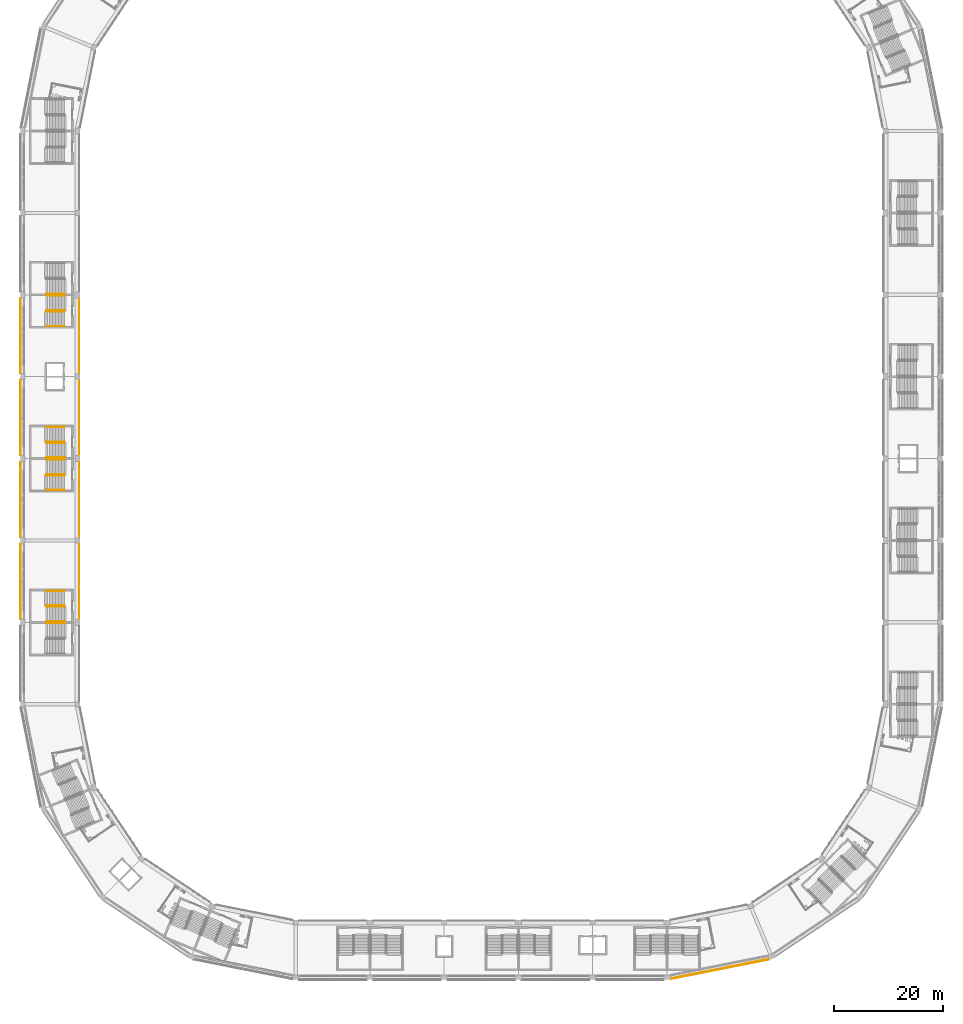
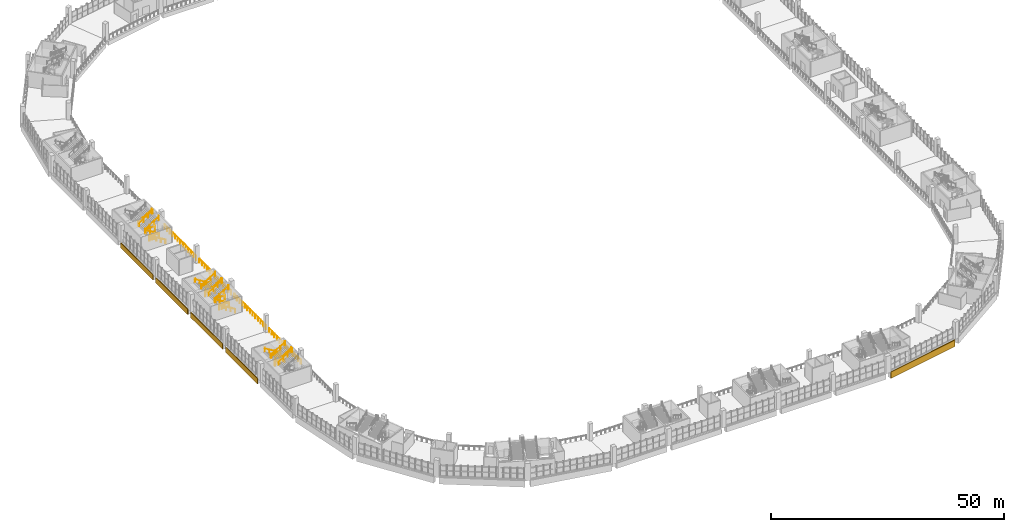
# One storey, part 166 of 177: 30 railings, 5 coverings.
"""IFC4 building model written with IfcOpenShell, lengths in metres."""

from ifc_helpers import new_model, si_unit, direction, frame, origin, origin_2d, place, context, subcontext, project, spatial, polyline, circle, outline, extrude, material, layer, layer_set, type_object, element, save


model = new_model("IFC4")

# Units and contexts
model_context = context("Model", 3, precision=1e-05, world=origin(), true_north=direction((0.0, 1.0)))
body_context = subcontext(model_context, "Body", "Model", "MODEL_VIEW")
ifc_project = project(units=[si_unit("LENGTHUNIT", "METRE"), si_unit("AREAUNIT", "SQUARE_METRE"), si_unit("VOLUMEUNIT", "CUBIC_METRE"), si_unit("PLANEANGLEUNIT", "RADIAN"), si_unit("MASSUNIT", "GRAM", prefix="KILO")], contexts=[model_context])

# Site, building, storey
site_placement = place(None, origin())
site = spatial("IfcSite", under=ifc_project, at=site_placement, CompositionType="ELEMENT")
building_placement = place(site_placement, origin())
building = spatial("IfcBuilding", under=site, at=building_placement, Name="Ogive Plaza Stadium", CompositionType="ELEMENT")
storey_placement = place(building_placement, frame((0.0, 0.0, 18.0)))
storey = spatial("IfcBuildingStorey", under=building, at=storey_placement, Name="L04", CompositionType="ELEMENT", Elevation=18.0)

# Railings
ifc_material_1 = material(Name="Steel ASTM A572 Grade 50", Category="steel")
railing_type_1 = type_object("IfcRailingType", Name="Guard 1100", PredefinedType="GUARDRAIL", material=ifc_material_1)
for number, where, name in (
    (1, (-76.35009765625, -34.52490234375, 0.0), "Stair well guard ST22A L04"),
    (2, (-77.31005859375, -34.52490234375, 2.25), "Stair well guard ST22A L04"),
    (3, (-76.35009765625, -4.52490234375, 0.0), "Stair well guard ST24A L04"),
    (4, (-77.31005859375, -4.52490234375, 2.25), "Stair well guard ST24A L04"),
    (5, (-76.35009765625, -10.47509765625, 0.0), "Stair well guard ST24B L04"),
    (6, (-77.31005859375, -10.47509765625, 2.25), "Stair well guard ST24B L04"),
    (7, (-76.35009765625, 19.52490234375, 0.0), "Stair well guard ST26B L04"),
    (8, (-77.31005859375, 19.52490234375, 2.25), "Stair well guard ST26B L04"),
):
    element("IfcRailing", number, at=place(storey_placement, frame(where)), inside=storey, type_object=railing_type_1, Name=name, PredefinedType="GUARDRAIL", context=body_context, shape_type="SweptSolid", body=[
        extrude(circle(Radius=0.02392578125, at=origin_2d()), frame((0.0, 0.0, 1.076171875), z_axis=(-1.0, 0.0, 0.0), x_axis=(0.0, -1.0, 0.0)), (0.0, 0.0, 1.0), 2.39990234375),
        extrude(circle(Radius=0.02099609375, at=origin_2d()), origin(), (0.0, 0.0, 1.0), 1.052001953125),
        extrude(circle(Radius=0.02099609375, at=origin_2d()), frame((-1.199951171875, 0.0, 0.0)), (0.0, 0.0, 1.0), 1.052001953125),
        extrude(circle(Radius=0.02099609375, at=origin_2d()), frame((-2.39990234375, 0.0, 0.0)), (0.0, 0.0, 1.0), 1.052001953125),
    ])
railing_1_placement = place(storey_placement, frame((-73.64990234375, -36.800048828125, 0.0)))
element("IfcRailing", 9, at=railing_1_placement, inside=storey, type_object=railing_type_1, Name="Guard L04 B22", PredefinedType="GUARDRAIL", context=body_context, shape_type="SweptSolid", body=[
    extrude(circle(Radius=0.02392578125, at=origin_2d()), frame((0.0, 0.0, 1.076171875), z_axis=(0.0, 1.0, 0.0), x_axis=(-1.0, 0.0, 0.0)), (0.0, 0.0, 1.0), 13.60009765625),
    extrude(circle(Radius=0.02099609375, at=origin_2d()), origin(), (0.0, 0.0, 1.0), 1.052001953125),
    extrude(circle(Radius=0.02099609375, at=origin_2d()), frame((0.0, 1.13330078125, 0.0)), (0.0, 0.0, 1.0), 1.052001953125),
    extrude(circle(Radius=0.02099609375, at=origin_2d()), frame((0.0, 2.2666015625, 0.0)), (0.0, 0.0, 1.0), 1.052001953125),
    extrude(circle(Radius=0.02099609375, at=origin_2d()), frame((0.0, 3.39990234375, 0.0)), (0.0, 0.0, 1.0), 1.052001953125),
    extrude(circle(Radius=0.02099609375, at=origin_2d()), frame((0.0, 4.533447265625, 0.0)), (0.0, 0.0, 1.0), 1.052001953125),
    extrude(circle(Radius=0.02099609375, at=origin_2d()), frame((0.0, 5.666748046875, 0.0)), (0.0, 0.0, 1.0), 1.052001953125),
    extrude(circle(Radius=0.02099609375, at=origin_2d()), frame((0.0, 6.800048828125, 0.0)), (0.0, 0.0, 1.0), 1.052001953125),
    extrude(circle(Radius=0.02099609375, at=origin_2d()), frame((0.0, 7.933349609375, 0.0)), (0.0, 0.0, 1.0), 1.052001953125),
    extrude(circle(Radius=0.02099609375, at=origin_2d()), frame((0.0, 9.066650390625, 0.0)), (0.0, 0.0, 1.0), 1.052001953125),
    extrude(circle(Radius=0.02099609375, at=origin_2d()), frame((0.0, 10.2001953125, 0.0)), (0.0, 0.0, 1.0), 1.052001953125),
    extrude(circle(Radius=0.02099609375, at=origin_2d()), frame((0.0, 11.33349609375, 0.0)), (0.0, 0.0, 1.0), 1.052001953125),
    extrude(circle(Radius=0.02099609375, at=origin_2d()), frame((0.0, 12.466796875, 0.0)), (0.0, 0.0, 1.0), 1.052001953125),
    extrude(circle(Radius=0.02099609375, at=origin_2d()), frame((0.0, 13.60009765625, 0.0)), (0.0, 0.0, 1.0), 1.052001953125),
])
railing_2_placement = place(storey_placement, frame((-73.64990234375, -21.800048828125, 0.0)))
element("IfcRailing", 10, at=railing_2_placement, inside=storey, type_object=railing_type_1, Name="Guard L04 B23", PredefinedType="GUARDRAIL", context=body_context, shape_type="SweptSolid", body=[
    extrude(circle(Radius=0.02392578125, at=origin_2d()), frame((0.0, 0.0, 1.076171875), z_axis=(0.0, 1.0, 0.0), x_axis=(-1.0, 0.0, 0.0)), (0.0, 0.0, 1.0), 13.60009765625),
    extrude(circle(Radius=0.02099609375, at=origin_2d()), origin(), (0.0, 0.0, 1.0), 1.052001953125),
    extrude(circle(Radius=0.02099609375, at=origin_2d()), frame((0.0, 1.13330078125, 0.0)), (0.0, 0.0, 1.0), 1.052001953125),
    extrude(circle(Radius=0.02099609375, at=origin_2d()), frame((0.0, 2.2666015625, 0.0)), (0.0, 0.0, 1.0), 1.052001953125),
    extrude(circle(Radius=0.02099609375, at=origin_2d()), frame((0.0, 3.39990234375, 0.0)), (0.0, 0.0, 1.0), 1.052001953125),
    extrude(circle(Radius=0.02099609375, at=origin_2d()), frame((0.0, 4.533447265625, 0.0)), (0.0, 0.0, 1.0), 1.052001953125),
    extrude(circle(Radius=0.02099609375, at=origin_2d()), frame((0.0, 5.666748046875, 0.0)), (0.0, 0.0, 1.0), 1.052001953125),
    extrude(circle(Radius=0.02099609375, at=origin_2d()), frame((0.0, 6.800048828125, 0.0)), (0.0, 0.0, 1.0), 1.052001953125),
    extrude(circle(Radius=0.02099609375, at=origin_2d()), frame((0.0, 7.933349609375, 0.0)), (0.0, 0.0, 1.0), 1.052001953125),
    extrude(circle(Radius=0.02099609375, at=origin_2d()), frame((0.0, 9.066650390625, 0.0)), (0.0, 0.0, 1.0), 1.052001953125),
    extrude(circle(Radius=0.02099609375, at=origin_2d()), frame((0.0, 10.2001953125, 0.0)), (0.0, 0.0, 1.0), 1.052001953125),
    extrude(circle(Radius=0.02099609375, at=origin_2d()), frame((0.0, 11.33349609375, 0.0)), (0.0, 0.0, 1.0), 1.052001953125),
    extrude(circle(Radius=0.02099609375, at=origin_2d()), frame((0.0, 12.466796875, 0.0)), (0.0, 0.0, 1.0), 1.052001953125),
    extrude(circle(Radius=0.02099609375, at=origin_2d()), frame((0.0, 13.60009765625, 0.0)), (0.0, 0.0, 1.0), 1.052001953125),
])
railing_3_placement = place(storey_placement, frame((-73.64990234375, -6.800048828125, 0.0)))
element("IfcRailing", 11, at=railing_3_placement, inside=storey, type_object=railing_type_1, Name="Guard L04 B24", PredefinedType="GUARDRAIL", context=body_context, shape_type="SweptSolid", body=[
    extrude(circle(Radius=0.02392578125, at=origin_2d()), frame((0.0, 0.0, 1.076171875), z_axis=(0.0, 1.0, 0.0), x_axis=(-1.0, 0.0, 0.0)), (0.0, 0.0, 1.0), 13.60009765625),
    extrude(circle(Radius=0.02099609375, at=origin_2d()), origin(), (0.0, 0.0, 1.0), 1.052001953125),
    extrude(circle(Radius=0.02099609375, at=origin_2d()), frame((0.0, 1.13330078125, 0.0)), (0.0, 0.0, 1.0), 1.052001953125),
    extrude(circle(Radius=0.02099609375, at=origin_2d()), frame((0.0, 2.2666015625, 0.0)), (0.0, 0.0, 1.0), 1.052001953125),
    extrude(circle(Radius=0.02099609375, at=origin_2d()), frame((0.0, 3.39990234375, 0.0)), (0.0, 0.0, 1.0), 1.052001953125),
    extrude(circle(Radius=0.02099609375, at=origin_2d()), frame((0.0, 4.533447265625, 0.0)), (0.0, 0.0, 1.0), 1.052001953125),
    extrude(circle(Radius=0.02099609375, at=origin_2d()), frame((0.0, 5.666748046875, 0.0)), (0.0, 0.0, 1.0), 1.052001953125),
    extrude(circle(Radius=0.02099609375, at=origin_2d()), frame((0.0, 6.800048828125, 0.0)), (0.0, 0.0, 1.0), 1.052001953125),
    extrude(circle(Radius=0.02099609375, at=origin_2d()), frame((0.0, 7.933349609375, 0.0)), (0.0, 0.0, 1.0), 1.052001953125),
    extrude(circle(Radius=0.02099609375, at=origin_2d()), frame((0.0, 9.066650390625, 0.0)), (0.0, 0.0, 1.0), 1.052001953125),
    extrude(circle(Radius=0.02099609375, at=origin_2d()), frame((0.0, 10.2001953125, 0.0)), (0.0, 0.0, 1.0), 1.052001953125),
    extrude(circle(Radius=0.02099609375, at=origin_2d()), frame((0.0, 11.33349609375, 0.0)), (0.0, 0.0, 1.0), 1.052001953125),
    extrude(circle(Radius=0.02099609375, at=origin_2d()), frame((0.0, 12.466796875, 0.0)), (0.0, 0.0, 1.0), 1.052001953125),
    extrude(circle(Radius=0.02099609375, at=origin_2d()), frame((0.0, 13.60009765625, 0.0)), (0.0, 0.0, 1.0), 1.052001953125),
])
railing_4_placement = place(storey_placement, frame((-73.64990234375, 8.199951171875, 0.0)))
element("IfcRailing", 12, at=railing_4_placement, inside=storey, type_object=railing_type_1, Name="Guard L04 B25", PredefinedType="GUARDRAIL", context=body_context, shape_type="SweptSolid", body=[
    extrude(circle(Radius=0.02392578125, at=origin_2d()), frame((0.0, 0.0, 1.076171875), z_axis=(0.0, 1.0, 0.0), x_axis=(-1.0, 0.0, 0.0)), (0.0, 0.0, 1.0), 13.60009765625),
    extrude(circle(Radius=0.02099609375, at=origin_2d()), origin(), (0.0, 0.0, 1.0), 1.052001953125),
    extrude(circle(Radius=0.02099609375, at=origin_2d()), frame((0.0, 1.13330078125, 0.0)), (0.0, 0.0, 1.0), 1.052001953125),
    extrude(circle(Radius=0.02099609375, at=origin_2d()), frame((0.0, 2.2666015625, 0.0)), (0.0, 0.0, 1.0), 1.052001953125),
    extrude(circle(Radius=0.02099609375, at=origin_2d()), frame((0.0, 3.39990234375, 0.0)), (0.0, 0.0, 1.0), 1.052001953125),
    extrude(circle(Radius=0.02099609375, at=origin_2d()), frame((0.0, 4.533447265625, 0.0)), (0.0, 0.0, 1.0), 1.052001953125),
    extrude(circle(Radius=0.02099609375, at=origin_2d()), frame((0.0, 5.666748046875, 0.0)), (0.0, 0.0, 1.0), 1.052001953125),
    extrude(circle(Radius=0.02099609375, at=origin_2d()), frame((0.0, 6.800048828125, 0.0)), (0.0, 0.0, 1.0), 1.052001953125),
    extrude(circle(Radius=0.02099609375, at=origin_2d()), frame((0.0, 7.933349609375, 0.0)), (0.0, 0.0, 1.0), 1.052001953125),
    extrude(circle(Radius=0.02099609375, at=origin_2d()), frame((0.0, 9.066650390625, 0.0)), (0.0, 0.0, 1.0), 1.052001953125),
    extrude(circle(Radius=0.02099609375, at=origin_2d()), frame((0.0, 10.2001953125, 0.0)), (0.0, 0.0, 1.0), 1.052001953125),
    extrude(circle(Radius=0.02099609375, at=origin_2d()), frame((0.0, 11.33349609375, 0.0)), (0.0, 0.0, 1.0), 1.052001953125),
    extrude(circle(Radius=0.02099609375, at=origin_2d()), frame((0.0, 12.466796875, 0.0)), (0.0, 0.0, 1.0), 1.052001953125),
    extrude(circle(Radius=0.02099609375, at=origin_2d()), frame((0.0, 13.60009765625, 0.0)), (0.0, 0.0, 1.0), 1.052001953125),
])
ifc_material_2 = material(Name="Steel ASTM A572 Grade 50", Category="steel")
railing_type_2 = type_object("IfcRailingType", Name="Handrail 900", PredefinedType="HANDRAIL", material=ifc_material_2)
for number, where, name in (
    (13, (-76.35009765625, -31.735107421875, 0.173095703125), "Handrail ST22A L04"),
    (14, (-76.35009765625, -34.4150390625, 0.173095703125), "Handrail ST22A L04"),
):
    element("IfcRailing", number, at=place(storey_placement, frame(where)), inside=storey, type_object=railing_type_2, Name=name, PredefinedType="HANDRAIL", context=body_context, shape_type="SweptSolid", body=[
        extrude(circle(Radius=0.02392578125, at=origin_2d()), frame((0.0, 0.0, 0.8759765625), z_axis=(-0.850606129759, 0.0, 0.525803396734), x_axis=(0.0, -1.0, 0.0)), (0.0, 0.0, 1.0), 3.949951171875),
        extrude(circle(Radius=0.02099609375, at=origin_2d()), origin(), (0.0, 0.0, 1.0), 0.851806640625),
        extrude(circle(Radius=0.02099609375, at=origin_2d()), frame((-1.119873046875, 0.0, 0.6923828125)), (0.0, 0.0, 1.0), 0.851806640625),
        extrude(circle(Radius=0.02099609375, at=origin_2d()), frame((-2.239990234375, 0.0, 1.384521484375)), (0.0, 0.0, 1.0), 0.851806640625),
        extrude(circle(Radius=0.02099609375, at=origin_2d()), frame((-3.35986328125, 0.0, 2.076904296875)), (0.0, 0.0, 1.0), 1.10009765625),
    ])
for number, where, name in (
    (15, (-79.7099609375, -34.635009765625, 2.423095703125), "Handrail ST22A L04"),
    (16, (-79.7099609375, -37.31494140625, 2.423095703125), "Handrail ST22A L04"),
    (17, (-79.7099609375, -37.68505859375, 2.423095703125), "Handrail ST22B L04"),
):
    element("IfcRailing", number, at=place(storey_placement, frame(where)), inside=storey, type_object=railing_type_2, Name=name, PredefinedType="HANDRAIL", context=body_context, shape_type="SweptSolid", body=[
        extrude(circle(Radius=0.02392578125, at=origin_2d()), frame((0.0, 0.0, 0.8759765625), z_axis=(0.850606129759, 0.0, 0.525803396734), x_axis=(0.0, 1.0, 0.0)), (0.0, 0.0, 1.0), 3.949951171875),
        extrude(circle(Radius=0.02099609375, at=origin_2d()), origin(), (0.0, 0.0, 1.0), 0.851806640625),
        extrude(circle(Radius=0.02099609375, at=origin_2d()), frame((1.119873046875, 0.0, 0.6923828125)), (0.0, 0.0, 1.0), 0.851806640625),
        extrude(circle(Radius=0.02099609375, at=origin_2d()), frame((2.239990234375, 0.0, 1.384521484375)), (0.0, 0.0, 1.0), 0.851806640625),
        extrude(circle(Radius=0.02099609375, at=origin_2d()), frame((3.35986328125, 0.0, 2.076904296875)), (0.0, 0.0, 1.0), 1.10009765625),
    ])
for number, where, name in (
    (18, (-76.35009765625, -1.735107421875, 0.173095703125), "Handrail ST24A L04"),
    (19, (-76.35009765625, -4.4150390625, 0.173095703125), "Handrail ST24A L04"),
):
    element("IfcRailing", number, at=place(storey_placement, frame(where)), inside=storey, type_object=railing_type_2, Name=name, PredefinedType="HANDRAIL", context=body_context, shape_type="SweptSolid", body=[
        extrude(circle(Radius=0.02392578125, at=origin_2d()), frame((0.0, 0.0, 0.8759765625), z_axis=(-0.850606129759, 0.0, 0.525803396734), x_axis=(0.0, -1.0, 0.0)), (0.0, 0.0, 1.0), 3.949951171875),
        extrude(circle(Radius=0.02099609375, at=origin_2d()), origin(), (0.0, 0.0, 1.0), 0.851806640625),
        extrude(circle(Radius=0.02099609375, at=origin_2d()), frame((-1.119873046875, 0.0, 0.6923828125)), (0.0, 0.0, 1.0), 0.851806640625),
        extrude(circle(Radius=0.02099609375, at=origin_2d()), frame((-2.239990234375, 0.0, 1.384521484375)), (0.0, 0.0, 1.0), 0.851806640625),
        extrude(circle(Radius=0.02099609375, at=origin_2d()), frame((-3.35986328125, 0.0, 2.076904296875)), (0.0, 0.0, 1.0), 1.10009765625),
    ])
for number, where, name in (
    (20, (-79.7099609375, -4.635009765625, 2.423095703125), "Handrail ST24A L04"),
    (21, (-79.7099609375, -7.31494140625, 2.423095703125), "Handrail ST24A L04"),
):
    element("IfcRailing", number, at=place(storey_placement, frame(where)), inside=storey, type_object=railing_type_2, Name=name, PredefinedType="HANDRAIL", context=body_context, shape_type="SweptSolid", body=[
        extrude(circle(Radius=0.02392578125, at=origin_2d()), frame((0.0, 0.0, 0.8759765625), z_axis=(0.850606129759, 0.0, 0.525803396734), x_axis=(0.0, 1.0, 0.0)), (0.0, 0.0, 1.0), 3.949951171875),
        extrude(circle(Radius=0.02099609375, at=origin_2d()), origin(), (0.0, 0.0, 1.0), 0.851806640625),
        extrude(circle(Radius=0.02099609375, at=origin_2d()), frame((1.119873046875, 0.0, 0.6923828125)), (0.0, 0.0, 1.0), 0.851806640625),
        extrude(circle(Radius=0.02099609375, at=origin_2d()), frame((2.239990234375, 0.0, 1.384521484375)), (0.0, 0.0, 1.0), 0.851806640625),
        extrude(circle(Radius=0.02099609375, at=origin_2d()), frame((3.35986328125, 0.0, 2.076904296875)), (0.0, 0.0, 1.0), 1.10009765625),
    ])
for number, where, name in (
    (22, (-76.35009765625, -10.5849609375, 0.173095703125), "Handrail ST24B L04"),
    (23, (-76.35009765625, -13.264892578125, 0.173095703125), "Handrail ST24B L04"),
):
    element("IfcRailing", number, at=place(storey_placement, frame(where)), inside=storey, type_object=railing_type_2, Name=name, PredefinedType="HANDRAIL", context=body_context, shape_type="SweptSolid", body=[
        extrude(circle(Radius=0.02392578125, at=origin_2d()), frame((0.0, 0.0, 0.8759765625), z_axis=(-0.850606129759, 0.0, 0.525803396734), x_axis=(0.0, -1.0, 0.0)), (0.0, 0.0, 1.0), 3.949951171875),
        extrude(circle(Radius=0.02099609375, at=origin_2d()), origin(), (0.0, 0.0, 1.0), 0.851806640625),
        extrude(circle(Radius=0.02099609375, at=origin_2d()), frame((-1.119873046875, 0.0, 0.6923828125)), (0.0, 0.0, 1.0), 0.851806640625),
        extrude(circle(Radius=0.02099609375, at=origin_2d()), frame((-2.239990234375, 0.0, 1.384521484375)), (0.0, 0.0, 1.0), 0.851806640625),
        extrude(circle(Radius=0.02099609375, at=origin_2d()), frame((-3.35986328125, 0.0, 2.076904296875)), (0.0, 0.0, 1.0), 1.10009765625),
    ])
for number, where, name in (
    (24, (-79.7099609375, -7.68505859375, 2.423095703125), "Handrail ST24B L04"),
    (25, (-79.7099609375, -10.364990234375, 2.423095703125), "Handrail ST24B L04"),
    (26, (-79.7099609375, 22.68505859375, 2.423095703125), "Handrail ST26A L04"),
):
    element("IfcRailing", number, at=place(storey_placement, frame(where)), inside=storey, type_object=railing_type_2, Name=name, PredefinedType="HANDRAIL", context=body_context, shape_type="SweptSolid", body=[
        extrude(circle(Radius=0.02392578125, at=origin_2d()), frame((0.0, 0.0, 0.8759765625), z_axis=(0.850606129759, 0.0, 0.525803396734), x_axis=(0.0, 1.0, 0.0)), (0.0, 0.0, 1.0), 3.949951171875),
        extrude(circle(Radius=0.02099609375, at=origin_2d()), origin(), (0.0, 0.0, 1.0), 0.851806640625),
        extrude(circle(Radius=0.02099609375, at=origin_2d()), frame((1.119873046875, 0.0, 0.6923828125)), (0.0, 0.0, 1.0), 0.851806640625),
        extrude(circle(Radius=0.02099609375, at=origin_2d()), frame((2.239990234375, 0.0, 1.384521484375)), (0.0, 0.0, 1.0), 0.851806640625),
        extrude(circle(Radius=0.02099609375, at=origin_2d()), frame((3.35986328125, 0.0, 2.076904296875)), (0.0, 0.0, 1.0), 1.10009765625),
    ])
for number, where, name in (
    (27, (-76.35009765625, 19.4150390625, 0.173095703125), "Handrail ST26B L04"),
    (28, (-76.35009765625, 16.735107421875, 0.173095703125), "Handrail ST26B L04"),
):
    element("IfcRailing", number, at=place(storey_placement, frame(where)), inside=storey, type_object=railing_type_2, Name=name, PredefinedType="HANDRAIL", context=body_context, shape_type="SweptSolid", body=[
        extrude(circle(Radius=0.02392578125, at=origin_2d()), frame((0.0, 0.0, 0.8759765625), z_axis=(-0.850606129759, 0.0, 0.525803396734), x_axis=(0.0, -1.0, 0.0)), (0.0, 0.0, 1.0), 3.949951171875),
        extrude(circle(Radius=0.02099609375, at=origin_2d()), origin(), (0.0, 0.0, 1.0), 0.851806640625),
        extrude(circle(Radius=0.02099609375, at=origin_2d()), frame((-1.119873046875, 0.0, 0.6923828125)), (0.0, 0.0, 1.0), 0.851806640625),
        extrude(circle(Radius=0.02099609375, at=origin_2d()), frame((-2.239990234375, 0.0, 1.384521484375)), (0.0, 0.0, 1.0), 0.851806640625),
        extrude(circle(Radius=0.02099609375, at=origin_2d()), frame((-3.35986328125, 0.0, 2.076904296875)), (0.0, 0.0, 1.0), 1.10009765625),
    ])
for number, where, name in (
    (29, (-79.7099609375, 22.31494140625, 2.423095703125), "Handrail ST26B L04"),
    (30, (-79.7099609375, 19.635009765625, 2.423095703125), "Handrail ST26B L04"),
):
    element("IfcRailing", number, at=place(storey_placement, frame(where)), inside=storey, type_object=railing_type_2, Name=name, PredefinedType="HANDRAIL", context=body_context, shape_type="SweptSolid", body=[
        extrude(circle(Radius=0.02392578125, at=origin_2d()), frame((0.0, 0.0, 0.8759765625), z_axis=(0.850606129759, 0.0, 0.525803396734), x_axis=(0.0, 1.0, 0.0)), (0.0, 0.0, 1.0), 3.949951171875),
        extrude(circle(Radius=0.02099609375, at=origin_2d()), origin(), (0.0, 0.0, 1.0), 0.851806640625),
        extrude(circle(Radius=0.02099609375, at=origin_2d()), frame((1.119873046875, 0.0, 0.6923828125)), (0.0, 0.0, 1.0), 0.851806640625),
        extrude(circle(Radius=0.02099609375, at=origin_2d()), frame((2.239990234375, 0.0, 1.384521484375)), (0.0, 0.0, 1.0), 0.851806640625),
        extrude(circle(Radius=0.02099609375, at=origin_2d()), frame((3.35986328125, 0.0, 2.076904296875)), (0.0, 0.0, 1.0), 1.10009765625),
    ])

# Coverings
ifc_material_3 = material(Name="Cast stone (reconstituted limestone)", Category="masonry")
ifc_layer = layer(ifc_material_3, 0.159912109375)
ifc_layer_set = layer_set([ifc_layer], Name="Precast spandrel cladding 160")
covering_type = type_object("IfcCoveringType", Name="Precast spandrel cladding 160", PredefinedType="CLADDING", material=ifc_layer_set)
covering_1_placement = place(storey_placement, frame((0.0, 0.0, -1.7099609375)))
element("IfcCovering", 31, at=covering_1_placement, inside=storey, type_object=covering_type, Name="SPANDREL CLADDING B11 L04", PredefinedType="CLADDING", context=body_context, shape_type="SweptSolid", body=[
    extrude(outline(polyline([(52.670654296875, -99.14306640625), (34.60009765625, -102.737548828125), (34.631103515625, -102.89453125), (52.701904296875, -99.300048828125), (52.670654296875, -99.14306640625)])), origin(), (0.0, 0.0, 1.0), 1.7099609375),
])
covering_2_placement = place(storey_placement, frame((0.0, 0.0, -1.409912109375)))
element("IfcCovering", 32, at=covering_2_placement, inside=storey, type_object=covering_type, Name="SPANDREL CLADDING B22 L04", PredefinedType="CLADDING", context=body_context, shape_type="SweptSolid", body=[
    extrude(outline(polyline([(-84.35009765625, -36.89990234375), (-84.35009765625, -23.10009765625), (-84.510009765625, -23.10009765625), (-84.510009765625, -36.89990234375), (-84.35009765625, -36.89990234375)])), origin(), (0.0, 0.0, 1.0), 1.409912109375),
])
covering_3_placement = place(storey_placement, frame((0.0, 0.0, -1.409912109375)))
element("IfcCovering", 33, at=covering_3_placement, inside=storey, type_object=covering_type, Name="SPANDREL CLADDING B23 L04", PredefinedType="CLADDING", context=body_context, shape_type="SweptSolid", body=[
    extrude(outline(polyline([(-84.35009765625, -21.89990234375), (-84.35009765625, -8.10009765625), (-84.510009765625, -8.10009765625), (-84.510009765625, -21.89990234375), (-84.35009765625, -21.89990234375)])), origin(), (0.0, 0.0, 1.0), 1.409912109375),
])
covering_4_placement = place(storey_placement, frame((0.0, 0.0, -1.409912109375)))
element("IfcCovering", 34, at=covering_4_placement, inside=storey, type_object=covering_type, Name="SPANDREL CLADDING B24 L04", PredefinedType="CLADDING", context=body_context, shape_type="SweptSolid", body=[
    extrude(outline(polyline([(-84.35009765625, -6.89990234375), (-84.35009765625, 6.89990234375), (-84.510009765625, 6.89990234375), (-84.510009765625, -6.89990234375), (-84.35009765625, -6.89990234375)])), origin(), (0.0, 0.0, 1.0), 1.409912109375),
])
covering_5_placement = place(storey_placement, frame((0.0, 0.0, -1.409912109375)))
element("IfcCovering", 35, at=covering_5_placement, inside=storey, type_object=covering_type, Name="SPANDREL CLADDING B25 L04", PredefinedType="CLADDING", context=body_context, shape_type="SweptSolid", body=[
    extrude(outline(polyline([(-84.35009765625, 8.10009765625), (-84.35009765625, 21.89990234375), (-84.510009765625, 21.89990234375), (-84.510009765625, 8.10009765625), (-84.35009765625, 8.10009765625)])), origin(), (0.0, 0.0, 1.0), 1.409912109375),
])

save(model, "model.ifc")
